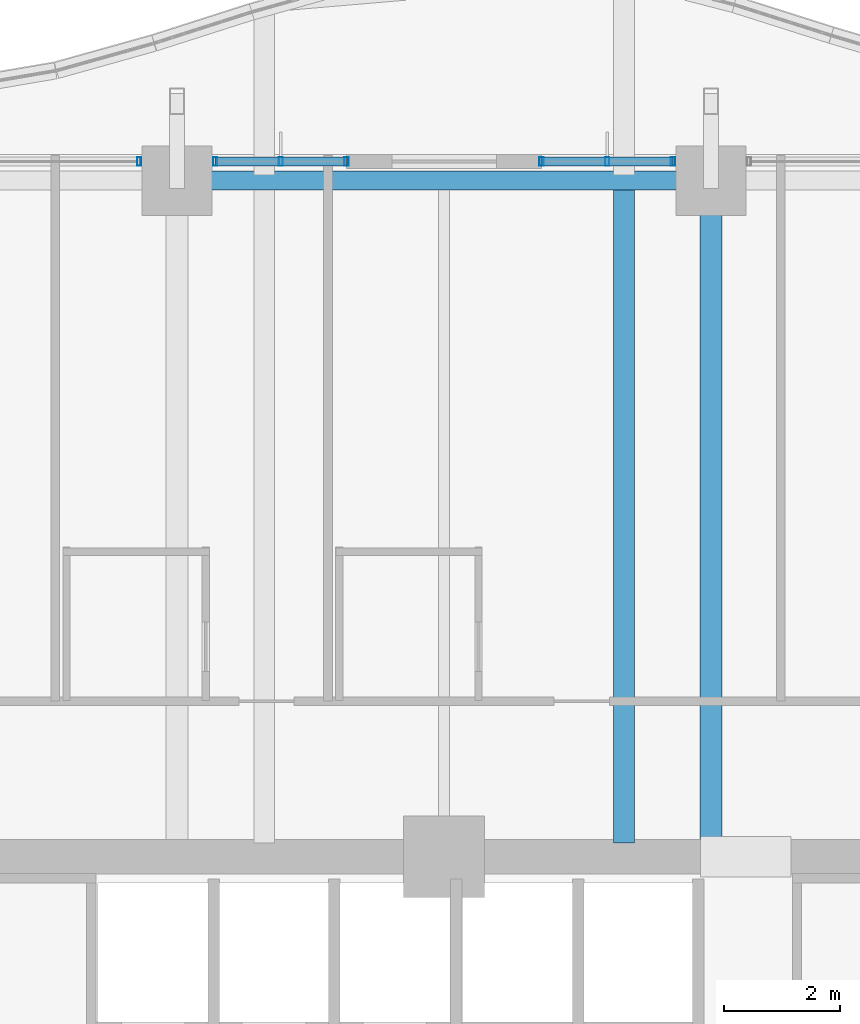
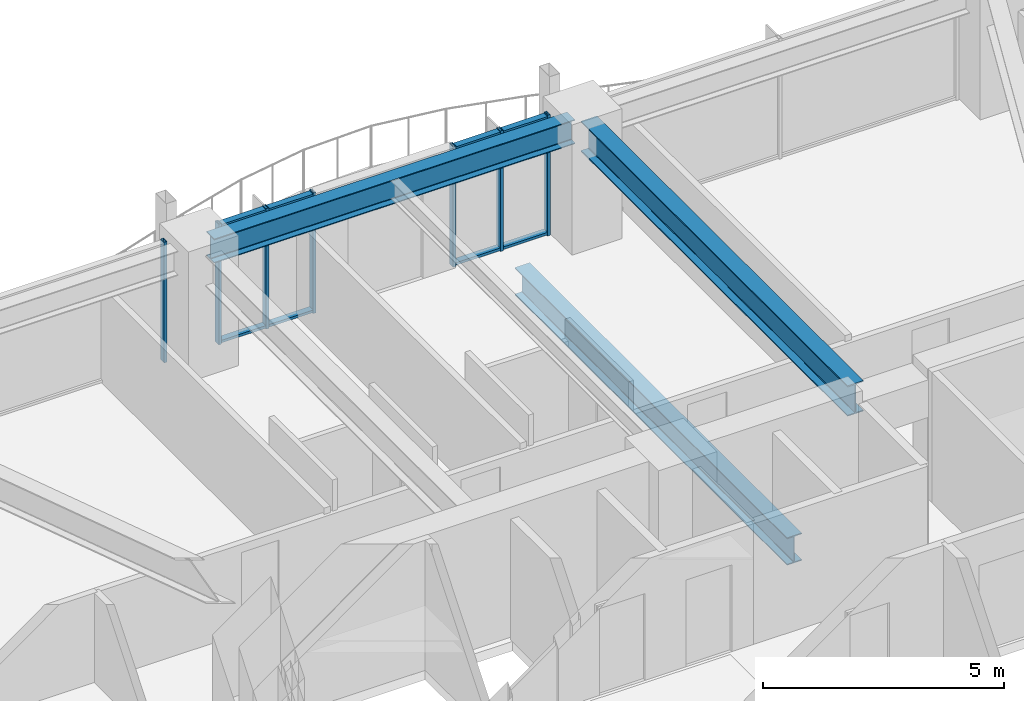
# One storey, part 20 of 38: 11 members, 3 beams, 3 elements without a shape of their own.
"""IFC4 building model written with IfcOpenShell, lengths in metres."""

from ifc_helpers import new_model, si_unit, direction, frame, origin, origin_2d, place, context, subcontext, project, spatial, hollow_rectangle, i_section, extrude, material, material_profile, profile_set, type_object, element, aggregate, save


model = new_model("IFC4")

# Units and contexts
model_context = context("Model", 3, precision=1e-05, world=origin(), true_north=direction((0.0, 1.0)))
body_context = subcontext(model_context, "Body", "Model", "MODEL_VIEW")
ifc_project = project(units=[si_unit("LENGTHUNIT", "METRE"), si_unit("AREAUNIT", "SQUARE_METRE"), si_unit("VOLUMEUNIT", "CUBIC_METRE"), si_unit("PLANEANGLEUNIT", "RADIAN"), si_unit("MASSUNIT", "GRAM", prefix="KILO")], contexts=[model_context])

# Site, building, storey
site_placement = place(None, origin())
site = spatial("IfcSite", under=ifc_project, at=site_placement, CompositionType="ELEMENT")
building_placement = place(site_placement, origin())
building = spatial("IfcBuilding", under=site, at=building_placement, Name="Kolvaren Belvedere", CompositionType="ELEMENT")
storey_placement = place(building_placement, frame((0.0, 0.0, 50.199951171875)))
storey = spatial("IfcBuildingStorey", under=building, at=storey_placement, Name="L14", CompositionType="ELEMENT", Elevation=50.199951171875)

# Beams
ifc_material_1 = material(Name="Structural steel ASTM A992 Grade 50", Category="steel")
ifc_material_profile_1 = material_profile(ifc_material_1, i_section(OverallWidth=0.35498046875, OverallDepth=0.696044921875, WebThickness=0.015380859375, FlangeThickness=0.02490234375, FilletRadius=0.02197265625, at=origin_2d()), Name="W27X146")
ifc_profile_set_1 = profile_set([ifc_material_profile_1], Name="Structural steel ASTM A992 Grade 50")
beam_type_1 = type_object("IfcBeamType", Name="BM-GIRD-W27X146", PredefinedType="BEAM", material=ifc_profile_set_1)
beam_1_placement = place(storey_placement, frame((3.10009765625, 10.139892578125, -0.587890625), z_axis=(0.0, 1.0, 0.0), x_axis=(-1.0, 0.0, 0.0)))
element("IfcBeam", 1, at=beam_1_placement, inside=storey, type_object=beam_type_1, Name="L14 Balcony Interior Back-Span Girder BAL-N-2", PredefinedType="BEAM", context=body_context, shape_type="SweptSolid", body=[
    extrude(i_section(OverallWidth=0.35498046875, OverallDepth=0.696044921875, WebThickness=0.015380859375, FlangeThickness=0.02490234375, FilletRadius=0.02197265625, at=origin_2d()), origin(), (0.0, 0.0, 1.0), 11.315185546875),
])
ifc_material_2 = material(Name="Structural steel ASTM A992 Grade 50", Category="steel")
ifc_material_profile_2 = material_profile(ifc_material_2, i_section(OverallWidth=0.381103515625, OverallDepth=0.77294921875, WebThickness=0.0166015625, FlangeThickness=0.027099609375, FilletRadius=0.02392578125, at=origin_2d()), Name="W30X173")
ifc_profile_set_2 = profile_set([ifc_material_profile_2], Name="Structural steel ASTM A992 Grade 50")
beam_type_2 = type_object("IfcBeamType", Name="BM-GIRD-W30X173", PredefinedType="BEAM", material=ifc_profile_set_2)
beam_2_placement = place(storey_placement, frame((4.60009765625, 10.199951171875, 2.673583984375), z_axis=(0.0, 1.0, 0.0), x_axis=(-1.0, 0.0, 0.0)))
element("IfcBeam", 2, at=beam_2_placement, inside=storey, type_object=beam_type_2, Name="L14 North Radial Girder P", PredefinedType="BEAM", context=body_context, shape_type="SweptSolid", body=[
    extrude(i_section(OverallWidth=0.381103515625, OverallDepth=0.77294921875, WebThickness=0.0166015625, FlangeThickness=0.027099609375, FilletRadius=0.02392578125, at=origin_2d()), origin(), (0.0, 0.0, 1.0), 11.080078125),
])
ifc_material_3 = material(Name="Structural steel ASTM A992 Grade 50", Category="steel")
ifc_material_profile_3 = material_profile(ifc_material_3, i_section(OverallWidth=0.324951171875, OverallDepth=0.615966796875, WebThickness=0.013916015625, FlangeThickness=0.021484375, FilletRadius=0.02001953125, at=origin_2d()), Name="W24X117")
ifc_profile_set_3 = profile_set([ifc_material_profile_3], Name="Structural steel ASTM A992 Grade 50")
beam_type_3 = type_object("IfcBeamType", Name="BM-SPAN-W24X117", PredefinedType="SPANDREL", material=ifc_profile_set_3)
beam_3_placement = place(storey_placement, frame((4.330078125, 21.550048828125, 2.751953125), z_axis=(-1.0, 0.0, 0.0), x_axis=(0.0, -1.0, 0.0)))
element("IfcBeam", 3, at=beam_3_placement, inside=storey, type_object=beam_type_3, Name="L14 Perimeter Spandrel N3-N2", PredefinedType="SPANDREL", context=body_context, shape_type="SweptSolid", body=[
    extrude(i_section(OverallWidth=0.324951171875, OverallDepth=0.615966796875, WebThickness=0.013916015625, FlangeThickness=0.021484375, FilletRadius=0.02001953125, at=origin_2d()), origin(), (0.0, 0.0, 1.0), 8.66015625),
])

# Curtain wall, member
ifc_material_4 = material(Name="Anodised pale-metal aluminium AA 6063-T6", Category="aluminium")
curtain_wall_type = type_object("IfcCurtainWallType", Name="CW-Z1-LOW", PredefinedType="NOTDEFINED", material=ifc_material_4)
curtain_wall_1_placement = place(storey_placement, origin())
curtain_wall_1 = element("IfcCurtainWall", 4, at=curtain_wall_1_placement, inside=storey, type_object=curtain_wall_type, Name="L14 Unitised Curtain Wall FCW-L14-N1-B1", PredefinedType="NOTDEFINED")
ifc_material_5 = material(Name="Anodised pale-metal aluminium AA 6063-T6", Category="aluminium")
ifc_material_profile_4 = material_profile(ifc_material_5, hollow_rectangle(XDim=0.070068359375, YDim=0.14990234375, WallThickness=0.004150390625, at=origin_2d()), Name="ALU-MUL-150X70")
ifc_profile_set_4 = profile_set([ifc_material_profile_4], Name="Anodised pale-metal aluminium AA 6063-T6")
member_type_1 = type_object("IfcMemberType", Name="CW-MUL-150", PredefinedType="MULLION", material=ifc_profile_set_4)
member_1_placement = place(storey_placement, frame((-5.2548828125, 21.8798828125, 0.0), z_axis=(0.0, 0.0, 1.0), x_axis=(1.0, 0.0, 0.0)))
member_1 = element("IfcMember", 5, at=member_1_placement, type_object=member_type_1, Name="FCW-L14-N1-B1 Unitised Mullion 3", PredefinedType="MULLION", context=body_context, shape_type="SweptSolid", body=[
    extrude(hollow_rectangle(XDim=0.070068359375, YDim=0.14990234375, WallThickness=0.004150390625, at=origin_2d()), origin(), (0.0, 0.0, 1.0), 3.06005859375),
])
aggregate(curtain_wall_1, [member_1])

# Curtain wall, members
curtain_wall_2_placement = place(storey_placement, origin())
curtain_wall_2 = element("IfcCurtainWall", 6, at=curtain_wall_2_placement, inside=storey, type_object=curtain_wall_type, Name="L14 Unitised Curtain Wall FCW-L14-N1-B2", PredefinedType="NOTDEFINED")
member_2_placement = place(storey_placement, frame((-3.945068359375, 21.8798828125, 0.0), z_axis=(0.0, 0.0, 1.0), x_axis=(1.0, 0.0, 0.0)))
member_2 = element("IfcMember", 7, at=member_2_placement, type_object=member_type_1, Name="FCW-L14-N1-B2 Unitised Mullion 1", PredefinedType="MULLION", context=body_context, shape_type="SweptSolid", body=[
    extrude(hollow_rectangle(XDim=0.070068359375, YDim=0.14990234375, WallThickness=0.004150390625, at=origin_2d()), origin(), (0.0, 0.0, 1.0), 3.06005859375),
])
member_3_placement = place(storey_placement, frame((-2.8125, 21.8798828125, 0.0), z_axis=(0.0, 0.0, 1.0), x_axis=(1.0, 0.0, 0.0)))
member_3 = element("IfcMember", 8, at=member_3_placement, type_object=member_type_1, Name="FCW-L14-N1-B2 Unitised Mullion 2", PredefinedType="MULLION", context=body_context, shape_type="SweptSolid", body=[
    extrude(hollow_rectangle(XDim=0.070068359375, YDim=0.14990234375, WallThickness=0.004150390625, at=origin_2d()), origin(), (0.0, 0.0, 1.0), 3.06005859375),
])
member_4_placement = place(storey_placement, frame((-1.679931640625, 21.8798828125, 0.0), z_axis=(0.0, 0.0, 1.0), x_axis=(1.0, 0.0, 0.0)))
member_4 = element("IfcMember", 9, at=member_4_placement, type_object=member_type_1, Name="FCW-L14-N1-B2 Unitised Mullion 3", PredefinedType="MULLION", context=body_context, shape_type="SweptSolid", body=[
    extrude(hollow_rectangle(XDim=0.070068359375, YDim=0.14990234375, WallThickness=0.004150390625, at=origin_2d()), origin(), (0.0, 0.0, 1.0), 3.06005859375),
])

curtain_wall_3_placement = place(storey_placement, origin())
curtain_wall_3 = element("IfcCurtainWall", 10, at=curtain_wall_3_placement, inside=storey, type_object=curtain_wall_type, Name="L14 Unitised Curtain Wall FCW-L14-N2-B1", PredefinedType="NOTDEFINED")
member_5_placement = place(storey_placement, frame((1.679931640625, 21.8798828125, 0.0), z_axis=(0.0, 0.0, 1.0), x_axis=(1.0, 0.0, 0.0)))
member_5 = element("IfcMember", 11, at=member_5_placement, type_object=member_type_1, Name="FCW-L14-N2-B1 Unitised Mullion 1", PredefinedType="MULLION", context=body_context, shape_type="SweptSolid", body=[
    extrude(hollow_rectangle(XDim=0.070068359375, YDim=0.14990234375, WallThickness=0.004150390625, at=origin_2d()), origin(), (0.0, 0.0, 1.0), 3.06005859375),
])
member_6_placement = place(storey_placement, frame((2.8125, 21.8798828125, 0.0), z_axis=(0.0, 0.0, 1.0), x_axis=(1.0, 0.0, 0.0)))
member_6 = element("IfcMember", 12, at=member_6_placement, type_object=member_type_1, Name="FCW-L14-N2-B1 Unitised Mullion 2", PredefinedType="MULLION", context=body_context, shape_type="SweptSolid", body=[
    extrude(hollow_rectangle(XDim=0.070068359375, YDim=0.14990234375, WallThickness=0.004150390625, at=origin_2d()), origin(), (0.0, 0.0, 1.0), 3.06005859375),
])
member_7_placement = place(storey_placement, frame((3.945068359375, 21.8798828125, 0.0), z_axis=(0.0, 0.0, 1.0), x_axis=(1.0, 0.0, 0.0)))
member_7 = element("IfcMember", 13, at=member_7_placement, type_object=member_type_1, Name="FCW-L14-N2-B1 Unitised Mullion 3", PredefinedType="MULLION", context=body_context, shape_type="SweptSolid", body=[
    extrude(hollow_rectangle(XDim=0.070068359375, YDim=0.14990234375, WallThickness=0.004150390625, at=origin_2d()), origin(), (0.0, 0.0, 1.0), 3.06005859375),
])

# Member
ifc_material_6 = material(Name="Anodised pale-metal aluminium AA 6063-T6", Category="aluminium")
ifc_material_profile_5 = material_profile(ifc_material_6, hollow_rectangle(XDim=0.06494140625, YDim=0.14990234375, WallThickness=0.00390625, at=origin_2d()), Name="ALU-TRN-150X65")
ifc_profile_set_5 = profile_set([ifc_material_profile_5], Name="Anodised pale-metal aluminium AA 6063-T6")
member_type_2 = type_object("IfcMemberType", Name="CW-TRN-150", PredefinedType="USERDEFINED", material=ifc_profile_set_5)
member_8_placement = place(storey_placement, frame((-3.945068359375, 21.8798828125, 0.06005859375), z_axis=(1.0, 0.0, 0.0), x_axis=(0.0, 0.0, 1.0)))
member_8 = element("IfcMember", 14, at=member_8_placement, type_object=member_type_2, Name="FCW-L14-N1-B2 Sill Transom", ObjectType="TRANSOM", PredefinedType="USERDEFINED", context=body_context, shape_type="SweptSolid", body=[
    extrude(hollow_rectangle(XDim=0.06494140625, YDim=0.14990234375, WallThickness=0.00390625, at=origin_2d()), origin(), (0.0, 0.0, 1.0), 2.26513671875),
])

member_9_placement = place(storey_placement, frame((-3.945068359375, 21.8798828125, 3.0), z_axis=(1.0, 0.0, 0.0), x_axis=(0.0, 0.0, 1.0)))
member_9 = element("IfcMember", 15, at=member_9_placement, type_object=member_type_2, Name="FCW-L14-N1-B2 Head Transom", ObjectType="TRANSOM", PredefinedType="USERDEFINED", context=body_context, shape_type="SweptSolid", body=[
    extrude(hollow_rectangle(XDim=0.06494140625, YDim=0.14990234375, WallThickness=0.00390625, at=origin_2d()), origin(), (0.0, 0.0, 1.0), 2.26513671875),
])

aggregate(curtain_wall_2, [member_2, member_3, member_4, member_8, member_9])

member_10_placement = place(storey_placement, frame((1.679931640625, 21.8798828125, 0.06005859375), z_axis=(1.0, 0.0, 0.0), x_axis=(0.0, 0.0, 1.0)))
member_10 = element("IfcMember", 16, at=member_10_placement, type_object=member_type_2, Name="FCW-L14-N2-B1 Sill Transom", ObjectType="TRANSOM", PredefinedType="USERDEFINED", context=body_context, shape_type="SweptSolid", body=[
    extrude(hollow_rectangle(XDim=0.06494140625, YDim=0.14990234375, WallThickness=0.00390625, at=origin_2d()), origin(), (0.0, 0.0, 1.0), 2.26513671875),
])

member_11_placement = place(storey_placement, frame((1.679931640625, 21.8798828125, 3.0), z_axis=(1.0, 0.0, 0.0), x_axis=(0.0, 0.0, 1.0)))
member_11 = element("IfcMember", 17, at=member_11_placement, type_object=member_type_2, Name="FCW-L14-N2-B1 Head Transom", ObjectType="TRANSOM", PredefinedType="USERDEFINED", context=body_context, shape_type="SweptSolid", body=[
    extrude(hollow_rectangle(XDim=0.06494140625, YDim=0.14990234375, WallThickness=0.00390625, at=origin_2d()), origin(), (0.0, 0.0, 1.0), 2.26513671875),
])

aggregate(curtain_wall_3, [member_5, member_6, member_7, member_10, member_11])

save(model, "model.ifc")
